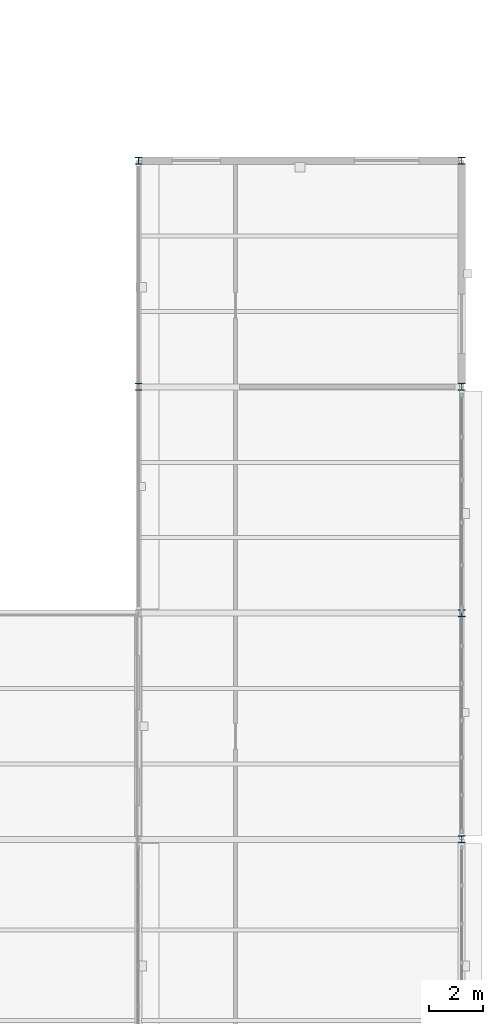
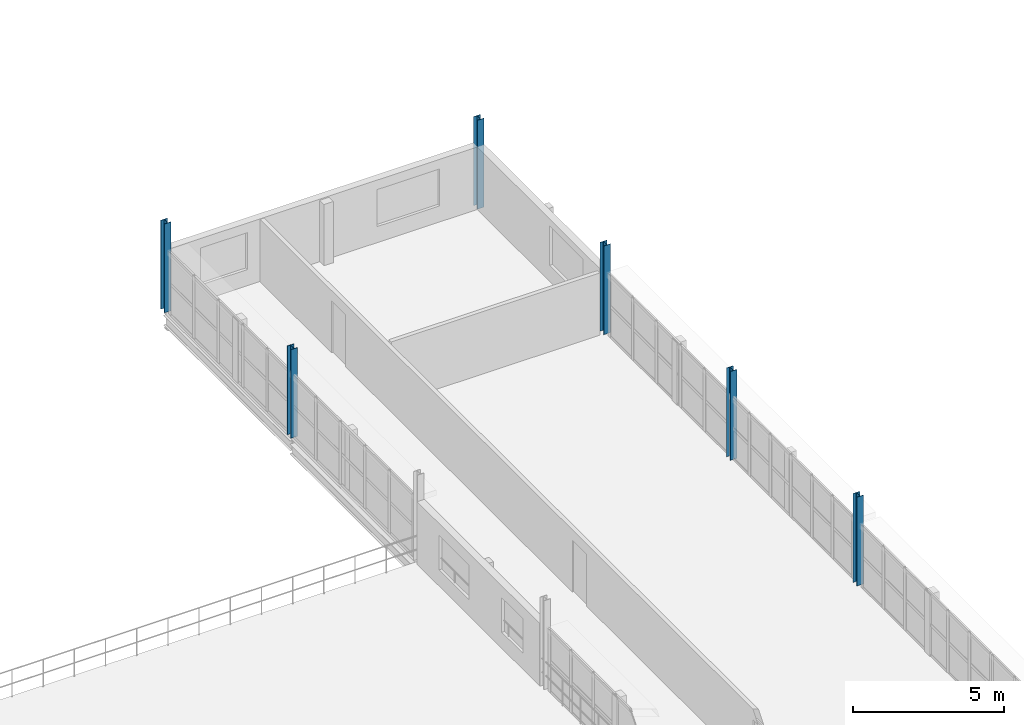
# One storey, part 16 of 74: 6 columns.
"""IFC4 building model written with IfcOpenShell, lengths in metres."""

from ifc_helpers import new_model, si_unit, direction, frame, origin, origin_2d, place, context, subcontext, project, spatial, i_section, extrude, material, material_profile, profile_set, type_object, element, save


model = new_model("IFC4")

# Units and contexts
model_context = context("Model", 3, precision=1e-05, world=origin(), true_north=direction((0.0, 1.0)))
body_context = subcontext(model_context, "Body", "Model", "MODEL_VIEW")
ifc_project = project(units=[si_unit("LENGTHUNIT", "METRE"), si_unit("AREAUNIT", "SQUARE_METRE"), si_unit("VOLUMEUNIT", "CUBIC_METRE"), si_unit("PLANEANGLEUNIT", "RADIAN"), si_unit("MASSUNIT", "GRAM", prefix="KILO"), si_unit("THERMODYNAMICTEMPERATUREUNIT", "KELVIN"), si_unit("POWERUNIT", "WATT")], contexts=[model_context])

# Site, building, storey
site_placement = place(None, origin())
site = spatial("IfcSite", under=ifc_project, at=site_placement, CompositionType="ELEMENT")
building_placement = place(site_placement, origin())
building = spatial("IfcBuilding", under=site, at=building_placement, Name="Tembeka Court Mobility Hub", CompositionType="ELEMENT")
storey_placement = place(building_placement, frame((0.0, 0.0, 12.60009765625)))
storey = spatial("IfcBuildingStorey", under=building, at=storey_placement, Name="L03", CompositionType="ELEMENT", Elevation=12.60009765625)

# Columns
ifc_material = material(Name="Steel S355", Category="steel")
ifc_material_profile = material_profile(ifc_material, i_section(OverallWidth=0.256103515625, OverallDepth=0.260009765625, WebThickness=0.01025390625, FlangeThickness=0.017333984375, FilletRadius=0.0126953125, at=origin_2d()), Name="UKC 254x254x89")
ifc_profile_set = profile_set([ifc_material_profile], Name="Steel S355")
column_type = type_object("IfcColumnType", Name="COL-C05", PredefinedType="COLUMN", material=ifc_profile_set)
for number, where, z_axis, x_axis, name in (
    (1, (164.39990234375, 55.199951171875, 0.0), (0.0, 0.0, 1.0), (1.0, 0.0, 0.0), "Column C05 (L03-225)"),
    (2, (164.39990234375, 63.60009765625, 0.0), (0.0, 0.0, 1.0), (1.0, 0.0, 0.0), "Column C05 (L03-226)"),
    (3, (176.39990234375, 38.39990234375, 0.0), (0.0, 0.0, 1.0), (1.0, 0.0, 0.0), "Column C05 (L03-242)"),
    (4, (176.39990234375, 46.800048828125, 0.0), (0.0, 0.0, 1.0), (1.0, 0.0, 0.0), "Column C05 (L03-243)"),
    (5, (176.39990234375, 55.199951171875, 0.0), (0.0, 0.0, 1.0), (1.0, 0.0, 0.0), "Column C05 (L03-244)"),
    (6, (176.39990234375, 63.60009765625, 0.0), (0.0, 0.0, 1.0), (1.0, 0.0, 0.0), "Column C05 (L03-245)"),
):
    element("IfcColumn", number, at=place(storey_placement, frame(where, z_axis=z_axis, x_axis=x_axis)), inside=storey, type_object=column_type, Name=name, PredefinedType="COLUMN", context=body_context, shape_type="SweptSolid", body=[
        extrude(i_section(OverallWidth=0.256103515625, OverallDepth=0.260009765625, WebThickness=0.01025390625, FlangeThickness=0.017333984375, FilletRadius=0.0126953125, at=origin_2d()), origin(), (0.0, 0.0, 1.0), 3.599853515625),
    ])

save(model, "model.ifc")
